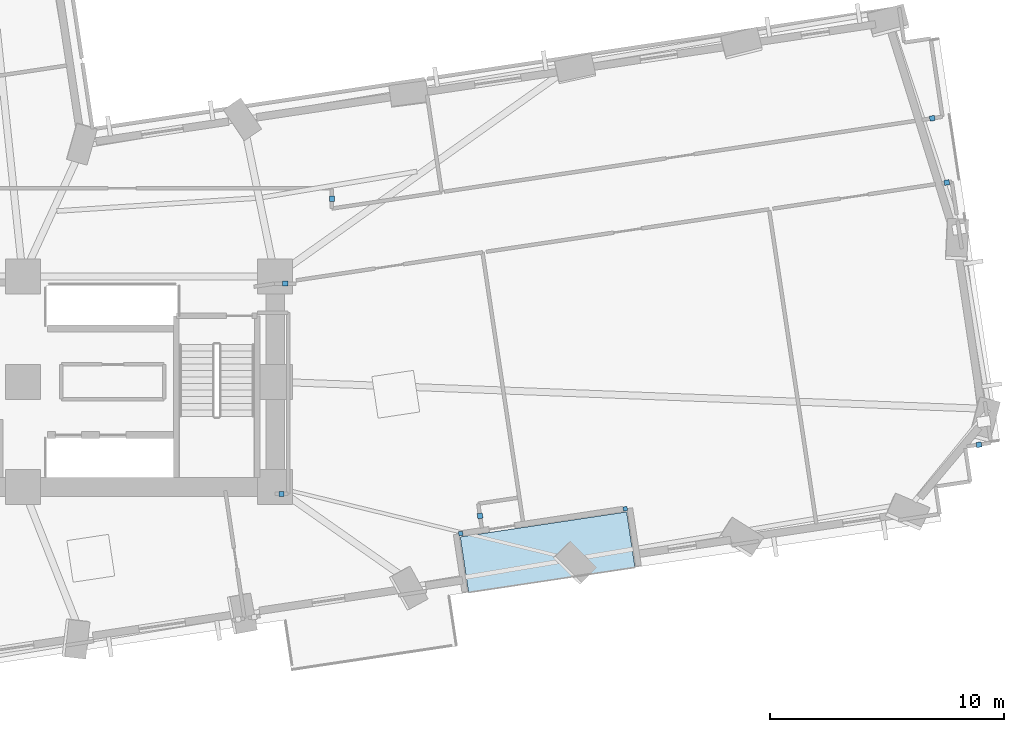
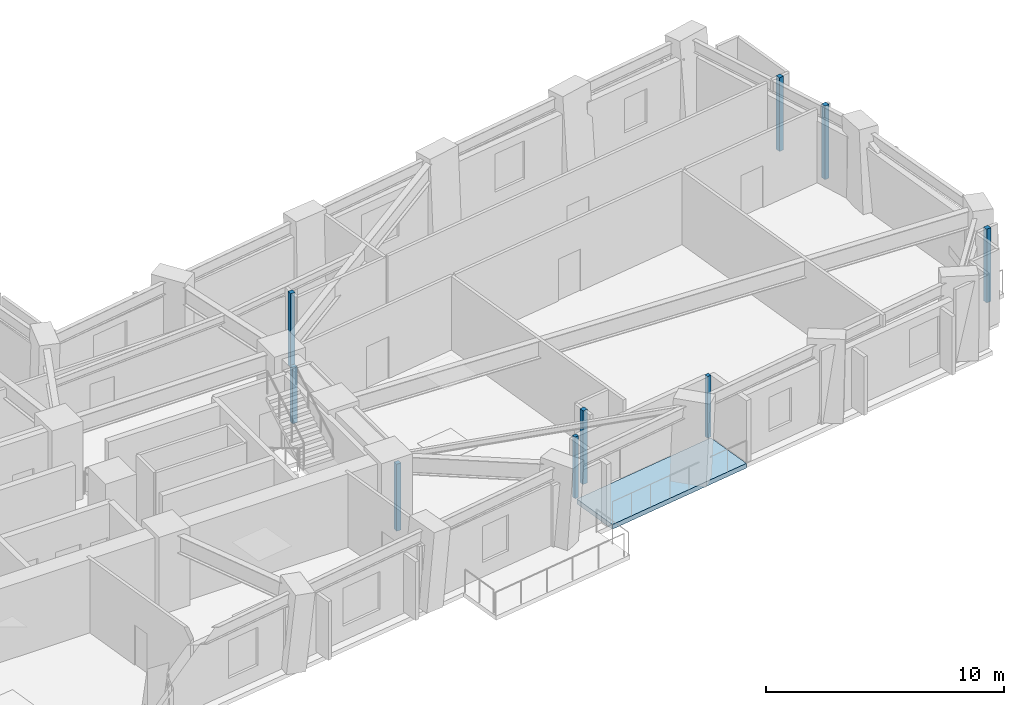
# One storey, part 5 of 15: 9 plates, 1 slab.
"""IFC4 building model written with IfcOpenShell, lengths in metres."""

from ifc_helpers import new_model, si_unit, direction, frame, origin, origin_2d, place, context, subcontext, project, spatial, polyline, rectangle, outline, extrude, material, layer, layer_set, type_object, element, save


model = new_model("IFC4")

# Units and contexts
model_context = context("Model", 3, precision=1e-05, world=origin(), true_north=direction((0.0, 1.0)))
body_context = subcontext(model_context, "Body", "Model", "MODEL_VIEW")
ifc_project = project(units=[si_unit("LENGTHUNIT", "METRE"), si_unit("AREAUNIT", "SQUARE_METRE"), si_unit("VOLUMEUNIT", "CUBIC_METRE"), si_unit("PLANEANGLEUNIT", "RADIAN"), si_unit("MASSUNIT", "GRAM", prefix="KILO")], contexts=[model_context])

# Site, building, storey
site_placement = place(None, origin())
site = spatial("IfcSite", under=ifc_project, at=site_placement, CompositionType="ELEMENT")
building_placement = place(site_placement, origin())
building = spatial("IfcBuilding", under=site, at=building_placement, Name="Gaonmaruhae Medical Tower", CompositionType="ELEMENT")
storey_placement = place(building_placement, frame((0.0, 0.0, 59.0)))
storey = spatial("IfcBuildingStorey", under=building, at=storey_placement, Name="L13", CompositionType="ELEMENT", Elevation=59.0)

# Plates
ifc_material_1 = material(Name="Anodised aluminium 6063-T6", Category="aluminium")
ifc_layer_1 = layer(ifc_material_1, 0.011962890625)
ifc_layer_set_1 = layer_set([ifc_layer_1], Name="Anodised aluminium 6063-T6")
plate_type = type_object("IfcPlateType", Name="PP-01 Interior Partition Corner Stiffener Plate", PredefinedType="SHEET", material=ifc_layer_set_1)
for number, where, z_axis, x_axis, name in (
    (1, (50.5791015625, 6.864990234375, 0.0), (0.0, 0.0, 1.0), (-0.988886498745, -0.148672433897, 0.0), "L13 Partition End Jamb Post Plate PLT-L13-ENDP-TERB-0"),
    (2, (43.538330078125, 5.806396484375, 0.0), (0.0, 0.0, 1.0), (-0.988886498745, -0.148672433897, 0.0), "L13 Partition End Jamb Post Plate PLT-L13-ENDP-TERB-1"),
):
    element("IfcPlate", number, at=place(storey_placement, frame(where, z_axis=z_axis, x_axis=x_axis)), inside=storey, type_object=plate_type, Name=name, PredefinedType="SHEET", context=body_context, shape_type="SweptSolid", body=[
        extrude(rectangle(XDim=0.179931640625, YDim=0.179931640625, at=origin_2d()), origin(), (0.0, 0.0, 1.0), 3.1650390625),
    ])
plate_1_placement = place(storey_placement, frame((35.875, 7.5, 0.0), z_axis=(0.0, 0.0, 1.0), x_axis=(1.0, 0.0, 0.0)))
element("IfcPlate", 3, at=plate_1_placement, inside=storey, type_object=plate_type, Name="L13 Partition Corner Stiffener Plate PLT-L13-JGP-PW019", PredefinedType="SHEET", context=body_context, shape_type="SweptSolid", body=[
    extrude(rectangle(XDim=0.219970703125, YDim=0.219970703125, at=origin_2d()), origin(), (0.0, 0.0, 1.0), 3.445068359375),
])
plate_2_placement = place(storey_placement, frame((36.032958984375, 16.5, 0.0), z_axis=(0.0, 0.0, 1.0), x_axis=(1.0, 0.0, 0.0)))
element("IfcPlate", 4, at=plate_2_placement, inside=storey, type_object=plate_type, Name="L13 Partition Corner Stiffener Plate PLT-L13-JGP-PW023", PredefinedType="SHEET", context=body_context, shape_type="SweptSolid", body=[
    extrude(rectangle(XDim=0.219970703125, YDim=0.219970703125, at=origin_2d()), origin(), (0.0, 0.0, 1.0), 2.864990234375),
])
for number, where, z_axis, x_axis, name in (
    (5, (44.366455078125, 6.560546875, 0.0), (0.0, 0.0, 1.0), (0.148845024885, -0.988860535448, 0.0), "L13 Partition Corner Stiffener Plate PLT-L13-JGP-PW027"),
    (6, (64.33837890625, 20.825927734375, 0.0), (0.0, 0.0, 1.0), (0.988745939101, 0.149604371297, 0.0), "L13 Partition Corner Stiffener Plate PLT-L13-JGP-PW037"),
    (7, (65.715087890625, 9.60595703125, 0.0), (0.0, 0.0, 1.0), (-0.989005541908, -0.147878457102, 0.0), "L13 Partition Corner Stiffener Plate PLT-L13-JGP-PW041"),
    (8, (38.030029296875, 20.131103515625, 0.0), (0.0, 0.0, 1.0), (0.0, 1.0, 0.0), "L13 Partition Corner Stiffener Plate PLT-L13-JGP-PW064"),
    (9, (63.716064453125, 23.573486328125, 0.0), (0.0, 0.0, 1.0), (-0.988902062263, -0.14856887713, 0.0), "L13 Partition Corner Stiffener Plate PLT-L13-JGP-PW071"),
):
    element("IfcPlate", number, at=place(storey_placement, frame(where, z_axis=z_axis, x_axis=x_axis)), inside=storey, type_object=plate_type, Name=name, PredefinedType="SHEET", context=body_context, shape_type="SweptSolid", body=[
        extrude(rectangle(XDim=0.219970703125, YDim=0.219970703125, at=origin_2d()), origin(), (0.0, 0.0, 1.0), 3.780029296875),
    ])

# Slab
ifc_material_2 = material(Name="Concrete C40/50", Category="concrete")
ifc_layer_2 = layer(ifc_material_2, 0.239990234375)
ifc_layer_set_2 = layer_set([ifc_layer_2], Name="Concrete C40/50")
slab_type = type_object("IfcSlabType", Name="TS-240 Sky Garden & Recovery Terrace Slab", PredefinedType="FLOOR", material=ifc_layer_set_2)
slab_placement = place(storey_placement, frame((0.0, 0.0, -0.239990234375)))
element("IfcSlab", 10, at=slab_placement, inside=storey, type_object=slab_type, Name="L13 Outdoor Recovery Terrace Slab", PredefinedType="FLOOR", context=body_context, shape_type="SweptSolid", body=[
    extrude(outline(polyline([(43.876220703125, 3.288818359375), (50.996337890625, 4.359130859375), (50.639404296875, 6.732421875), (43.51953125, 5.662109375), (43.876220703125, 3.288818359375)])), origin(), (0.0, 0.0, 1.0), 0.239990234375),
])

save(model, "model.ifc")
